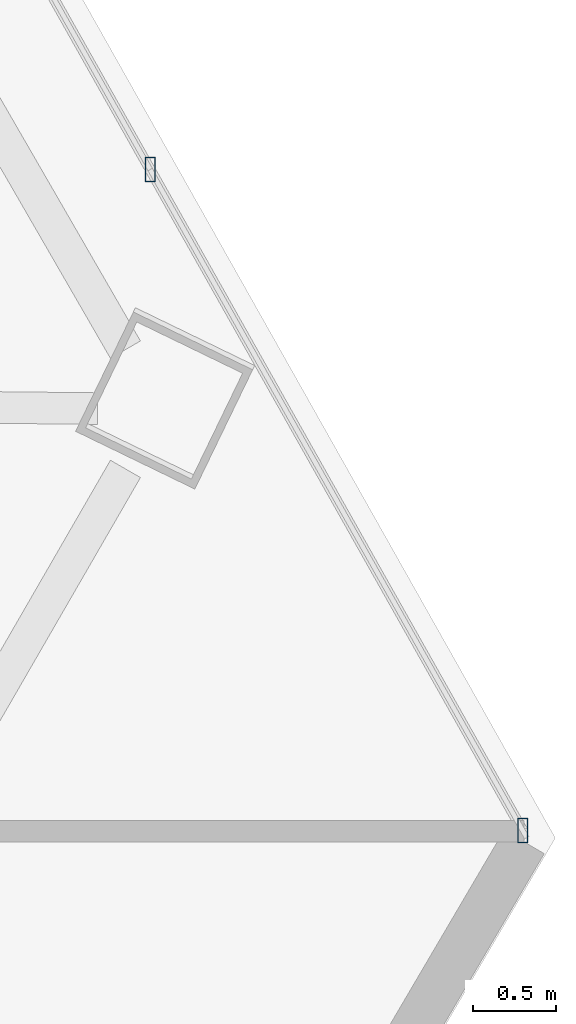
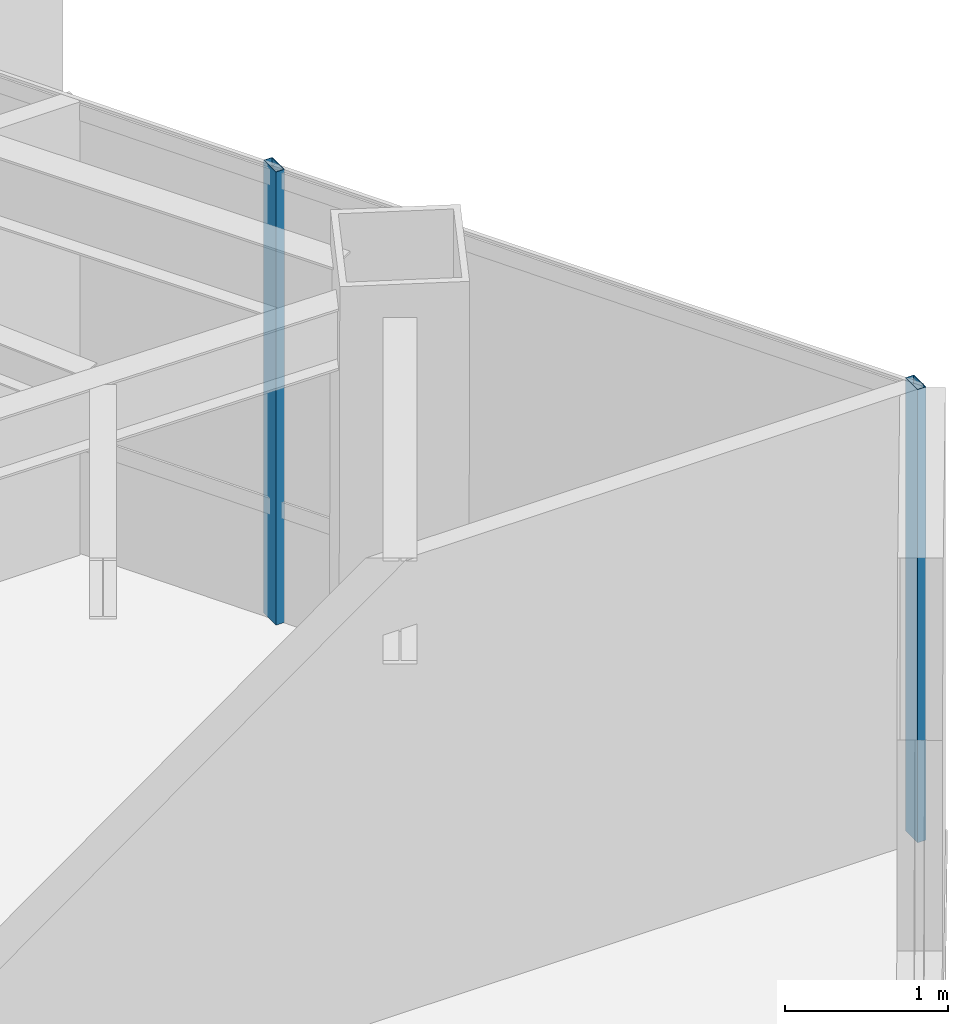
# One storey, part 22 of 42: 2 members, 1 element without a shape of its own.
"""IFC4 building model written with IfcOpenShell, lengths in metres."""

from ifc_helpers import new_model, si_unit, direction, frame, origin, origin_2d, place, context, subcontext, project, spatial, hollow_rectangle, extrude, source, transform, mapped, material, material_profile, profile_set, type_object, type_shapes, element, aggregate, save


model = new_model("IFC4")

# Units and contexts
model_context = context("Model", 3, precision=1e-05, world=origin(), true_north=direction((0.0, 1.0)))
body_context = subcontext(model_context, "Body", "Model", "MODEL_VIEW")
ifc_project = project(units=[si_unit("LENGTHUNIT", "METRE"), si_unit("AREAUNIT", "SQUARE_METRE"), si_unit("VOLUMEUNIT", "CUBIC_METRE"), si_unit("PLANEANGLEUNIT", "RADIAN"), si_unit("MASSUNIT", "GRAM", prefix="KILO")], contexts=[model_context])

# Site, building, storey
site_placement = place(None, origin())
site = spatial("IfcSite", under=ifc_project, at=site_placement, CompositionType="ELEMENT")
building_placement = place(site_placement, origin())
building = spatial("IfcBuilding", under=site, at=building_placement, Name="Caelisora Broadcast Tower", CompositionType="ELEMENT")
storey_placement = place(building_placement, frame((0.0, 0.0, 195.0)))
storey = spatial("IfcBuildingStorey", under=building, at=storey_placement, Name="L51", CompositionType="ELEMENT", Elevation=195.0)

# Curtain wall, members
ifc_material_1 = material(Name="Unitised Aluminium and Low-E Glass Curtain Wall", Category="glass")
curtain_wall_type = type_object("IfcCurtainWallType", Name="CW-Z4", PredefinedType="NOTDEFINED", material=ifc_material_1)
curtain_wall_placement = place(storey_placement, origin())
curtain_wall = element("IfcCurtainWall", 1, at=curtain_wall_placement, inside=storey, type_object=curtain_wall_type, Name="L51 curtain wall CW-Z4", PredefinedType="NOTDEFINED")
ifc_material_2 = material(Name="Aluminium 6063-T6 Anodised Terracotta Bronze", Category="aluminium")
ifc_material_profile = material_profile(ifc_material_2, hollow_rectangle(XDim=0.06005859375, YDim=0.14990234375, WallThickness=0.00341796875, at=origin_2d()), Name="Aluminium 6063-T6 Anodised Terracotta Bronze")
ifc_profile_set = profile_set([ifc_material_profile], Name="Aluminium 6063-T6 Anodised Terracotta Bronze")
member_type = type_object("IfcMemberType", Name="CWM-03", PredefinedType="MULLION", material=ifc_profile_set)
shared_shape = source(origin(), body_context, "Body", "SweptSolid", [
    extrude(hollow_rectangle(XDim=0.06005859375, YDim=0.14990234375, WallThickness=0.00341796875, at=origin_2d()), origin(), (0.0, 0.0, 1.0), 3.39990234375),
])
type_shapes(member_type, [shared_shape])
member_1_placement = place(storey_placement, frame((60.10302734375, 18.6865234375, 0.0), z_axis=(0.0, 0.0, 1.0), x_axis=(1.0, 0.0, 0.0)))
member_1 = element("IfcMember", 2, at=member_1_placement, type_object=member_type, Name="L51-CW-B03 mullion #2", PredefinedType="MULLION", context=body_context, shape_type="MappedRepresentation", body=[
    mapped(shared_shape, transform((0.0, 0.0, 0.0), scale=1.0)),
])
member_2_placement = place(storey_placement, frame((62.352294921875, 14.695556640625, 0.0), z_axis=(0.0, 0.0, 1.0), x_axis=(1.0, 0.0, 0.0)))
member_2 = element("IfcMember", 3, at=member_2_placement, type_object=member_type, Name="L51-CW-B03 mullion #3", PredefinedType="MULLION", context=body_context, shape_type="MappedRepresentation", body=[
    mapped(shared_shape, transform((0.0, 0.0, 0.0), scale=1.0)),
])
aggregate(curtain_wall, [member_1, member_2])

save(model, "model.ifc")
